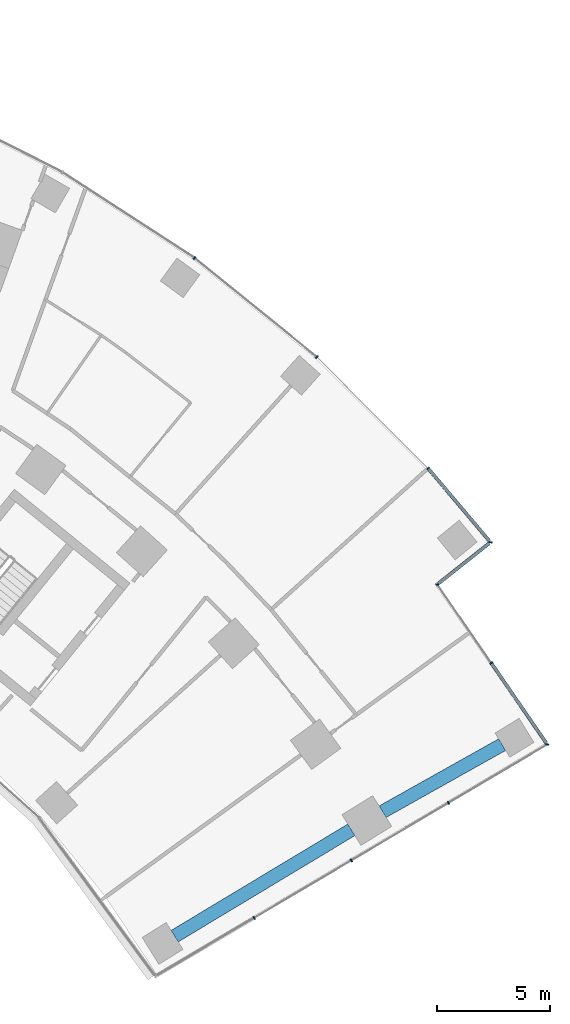
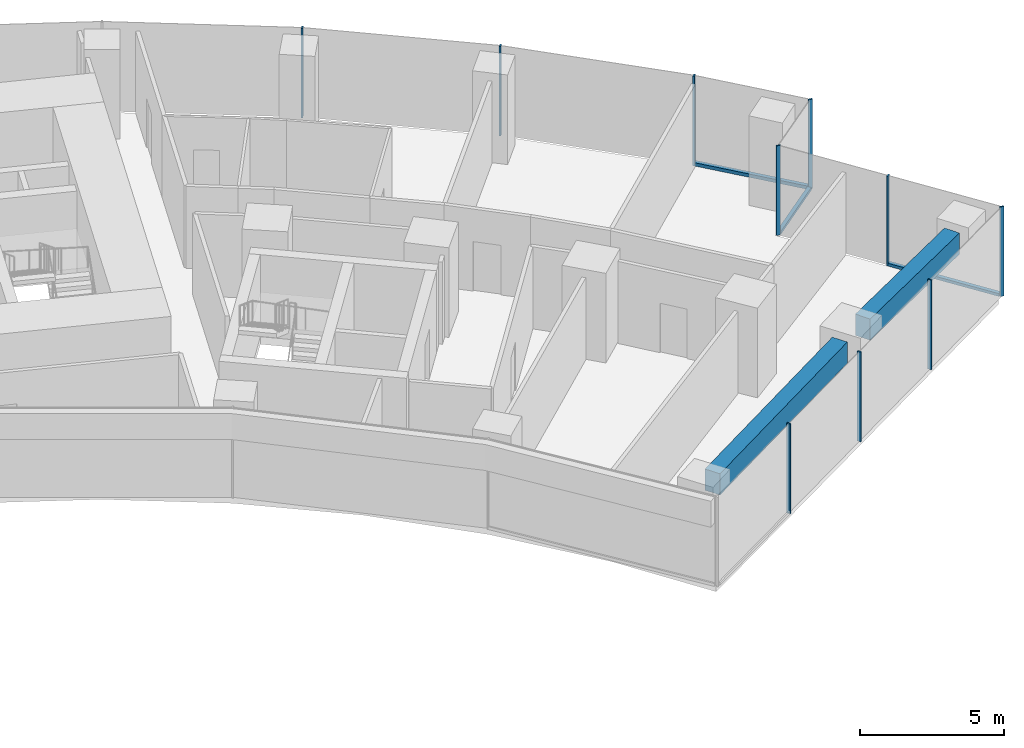
# One storey, part 10 of 21: 13 members, 2 beams, 4 elements without a shape of their own.
"""IFC4 building model written with IfcOpenShell, lengths in metres."""

from ifc_helpers import new_model, si_unit, direction, frame, origin, origin_2d, place, context, subcontext, project, spatial, rectangle, extrude, material, layer, layer_set, material_profile, profile_set, type_object, element, aggregate, save


model = new_model("IFC4")

# Units and contexts
model_context = context("Model", 3, precision=1e-05, world=origin(), true_north=direction((0.0, 1.0)))
body_context = subcontext(model_context, "Body", "Model", "MODEL_VIEW")
ifc_project = project(units=[si_unit("LENGTHUNIT", "METRE"), si_unit("AREAUNIT", "SQUARE_METRE"), si_unit("VOLUMEUNIT", "CUBIC_METRE"), si_unit("PLANEANGLEUNIT", "RADIAN"), si_unit("MASSUNIT", "GRAM", prefix="KILO")], contexts=[model_context])

# Site, building, storey
site_placement = place(None, origin())
site = spatial("IfcSite", under=ifc_project, at=site_placement, CompositionType="ELEMENT")
building_placement = place(site_placement, origin())
building = spatial("IfcBuilding", under=site, at=building_placement, Name="Stone Belt Terrace Tower", CompositionType="ELEMENT")
storey_placement = place(building_placement, frame((0.0, 0.0, 37.60009765625)))
storey = spatial("IfcBuildingStorey", under=building, at=storey_placement, Name="L08", CompositionType="ELEMENT", Elevation=37.60009765625)

# Curtain wall, members
ifc_material_1 = material(Name="Aluminium 6063-T6 anodised frame", Category="aluminium")
ifc_layer_1 = layer(ifc_material_1, 0.14990234375)
ifc_layer_set_1 = layer_set([ifc_layer_1], Name="CW-A unitised convex-face curtain wall")
curtain_wall_type_1 = type_object("IfcCurtainWallType", Name="CW-A unitised convex-face curtain wall", PredefinedType="NOTDEFINED", material=ifc_layer_set_1)
curtain_wall_1_placement = place(storey_placement, origin())
curtain_wall_1 = element("IfcCurtainWall", 1, at=curtain_wall_1_placement, inside=storey, type_object=curtain_wall_type_1, Name="CW-A convex face L08", PredefinedType="NOTDEFINED")
ifc_material_profile_1 = material_profile(ifc_material_1, rectangle(XDim=0.14990234375, YDim=0.06005859375, at=origin_2d()), Name="Aluminium 6063-T6 60x150")
ifc_profile_set_1 = profile_set([ifc_material_profile_1], Name="Aluminium 6063-T6 anodised frame")
member_type_1 = type_object("IfcMemberType", Name="CW-A mullion 60 x 150", PredefinedType="MULLION", material=ifc_profile_set_1)
member_1_placement = place(storey_placement, frame((52.24072265625, 41.27294921875, 0.0), z_axis=(0.0, 0.0, 1.0), x_axis=(-0.995023084308, 0.099644677203, 0.0)))
member_1 = element("IfcMember", 2, at=member_1_placement, type_object=member_type_1, Name="CW-A mullion 1", PredefinedType="MULLION", context=body_context, shape_type="SweptSolid", body=[
    extrude(rectangle(XDim=0.14990234375, YDim=0.06005859375, at=origin_2d()), origin(), (0.0, 0.0, 1.0), 3.7998046875),
])
member_2_placement = place(storey_placement, frame((49.474365234375, 44.548095703125, 0.0), z_axis=(0.0, 0.0, 1.0), x_axis=(-0.73617076011, -0.676795842155, 0.0)))
member_2 = element("IfcMember", 3, at=member_2_placement, type_object=member_type_1, Name="CW-A mullion 2", PredefinedType="MULLION", context=body_context, shape_type="SweptSolid", body=[
    extrude(rectangle(XDim=0.14990234375, YDim=0.06005859375, at=origin_2d()), origin(), (0.0, 0.0, 1.0), 3.7998046875),
])
member_3_placement = place(storey_placement, frame((44.54736328125, 49.474853515625, 0.0), z_axis=(0.0, 0.0, 1.0), x_axis=(-0.669130606359, -0.743144825477, 0.0)))
member_3 = element("IfcMember", 4, at=member_3_placement, type_object=member_type_1, Name="CW-A mullion 3", PredefinedType="MULLION", context=body_context, shape_type="SweptSolid", body=[
    extrude(rectangle(XDim=0.14990234375, YDim=0.06005859375, at=origin_2d()), origin(), (0.0, 0.0, 1.0), 3.7998046875),
])
member_4_placement = place(storey_placement, frame((39.1318359375, 53.8603515625, 0.0), z_axis=(0.0, 0.0, 1.0), x_axis=(-0.587785252292, -0.809016994375, 0.0)))
member_4 = element("IfcMember", 5, at=member_4_placement, type_object=member_type_1, Name="CW-A mullion 4", PredefinedType="MULLION", context=body_context, shape_type="SweptSolid", body=[
    extrude(rectangle(XDim=0.14990234375, YDim=0.06005859375, at=origin_2d()), origin(), (0.0, 0.0, 1.0), 3.7998046875),
])
ifc_material_profile_2 = material_profile(ifc_material_1, rectangle(XDim=0.14990234375, YDim=0.139892578125, at=origin_2d()), Name="Aluminium 6063-T6 150x140")
ifc_profile_set_2 = profile_set([ifc_material_profile_2], Name="Aluminium 6063-T6 anodised frame")
member_type_2 = type_object("IfcMemberType", Name="CW-A transom 140 x 150", PredefinedType="USERDEFINED", material=ifc_profile_set_2)
member_5_placement = place(storey_placement, frame((52.192626953125, 41.330078125, 0.06982421875), z_axis=(-0.645289935316, 0.763937758839, 0.0), x_axis=(-0.763937758839, -0.645289935316, 0.0)))
member_5 = element("IfcMember", 6, at=member_5_placement, type_object=member_type_2, Name="CW-A transom 1.1", ObjectType="TRANSOM", PredefinedType="USERDEFINED", context=body_context, shape_type="SweptSolid", body=[
    extrude(rectangle(XDim=0.14990234375, YDim=0.139892578125, at=origin_2d()), origin(), (0.0, 0.0, 1.0), 4.17919921875),
])
aggregate(curtain_wall_1, [member_1, member_2, member_3, member_4, member_5])

ifc_layer_2 = layer(ifc_material_1, 0.14990234375)
ifc_layer_set_2 = layer_set([ifc_layer_2], Name="CW-C stick curtain wall, horn ends and notches")
curtain_wall_type_2 = type_object("IfcCurtainWallType", Name="CW-C stick curtain wall, horn ends and notches", PredefinedType="NOTDEFINED", material=ifc_layer_set_2)
curtain_wall_2_placement = place(storey_placement, origin())
curtain_wall_2 = element("IfcCurtainWall", 7, at=curtain_wall_2_placement, inside=storey, type_object=curtain_wall_type_2, Name="CW-C end face L08", PredefinedType="NOTDEFINED")
ifc_material_profile_3 = material_profile(ifc_material_1, rectangle(XDim=0.14990234375, YDim=0.06005859375, at=origin_2d()), Name="Aluminium 6063-T6 60x150")
ifc_profile_set_3 = profile_set([ifc_material_profile_3], Name="Aluminium 6063-T6 anodised frame")
member_type_3 = type_object("IfcMemberType", Name="CW-C mullion 60 x 150", PredefinedType="MULLION", material=ifc_profile_set_3)
member_6_placement = place(storey_placement, frame((41.775146484375, 24.63916015625, 0.0), z_axis=(0.0, 0.0, 1.0), x_axis=(-0.509352918793, 0.860557728521, 0.0)))
member_6 = element("IfcMember", 8, at=member_6_placement, type_object=member_type_3, Name="CW-C mullion 2", PredefinedType="MULLION", context=body_context, shape_type="SweptSolid", body=[
    extrude(rectangle(XDim=0.14990234375, YDim=0.06005859375, at=origin_2d()), origin(), (0.0, 0.0, 1.0), 3.7998046875),
])
member_7_placement = place(storey_placement, frame((46.078125, 27.185791015625, 0.0), z_axis=(0.0, 0.0, 1.0), x_axis=(-0.509352918793, 0.860557728521, 0.0)))
member_7 = element("IfcMember", 9, at=member_7_placement, type_object=member_type_3, Name="CW-C mullion 3", PredefinedType="MULLION", context=body_context, shape_type="SweptSolid", body=[
    extrude(rectangle(XDim=0.14990234375, YDim=0.06005859375, at=origin_2d()), origin(), (0.0, 0.0, 1.0), 3.7998046875),
])
member_8_placement = place(storey_placement, frame((50.380859375, 29.732666015625, 0.0), z_axis=(0.0, 0.0, 1.0), x_axis=(-0.509352918793, 0.860557728521, 0.0)))
member_8 = element("IfcMember", 10, at=member_8_placement, type_object=member_type_3, Name="CW-C mullion 4", PredefinedType="MULLION", context=body_context, shape_type="SweptSolid", body=[
    extrude(rectangle(XDim=0.14990234375, YDim=0.06005859375, at=origin_2d()), origin(), (0.0, 0.0, 1.0), 3.7998046875),
])
aggregate(curtain_wall_2, [member_6, member_7, member_8])

curtain_wall_3_placement = place(storey_placement, origin())
curtain_wall_3 = element("IfcCurtainWall", 11, at=curtain_wall_3_placement, inside=storey, type_object=curtain_wall_type_2, Name="CW-C notch face L08", PredefinedType="NOTDEFINED")
member_9_placement = place(storey_placement, frame((54.752685546875, 32.3203125, 0.0), z_axis=(0.0, 0.0, 1.0), x_axis=(-0.976519557331, 0.215428768157, 0.0)))
member_9 = element("IfcMember", 12, at=member_9_placement, type_object=member_type_3, Name="CW-C mullion 1", PredefinedType="MULLION", context=body_context, shape_type="SweptSolid", body=[
    extrude(rectangle(XDim=0.14990234375, YDim=0.06005859375, at=origin_2d()), origin(), (0.0, 0.0, 1.0), 3.7998046875),
])
member_10_placement = place(storey_placement, frame((52.275390625, 35.925048828125, 0.0), z_axis=(0.0, 0.0, 1.0), x_axis=(-0.824146991357, -0.566375967567, 0.0)))
member_10 = element("IfcMember", 13, at=member_10_placement, type_object=member_type_3, Name="CW-C mullion 2", PredefinedType="MULLION", context=body_context, shape_type="SweptSolid", body=[
    extrude(rectangle(XDim=0.14990234375, YDim=0.06005859375, at=origin_2d()), origin(), (0.0, 0.0, 1.0), 3.7998046875),
])

# Curtain wall, member
curtain_wall_4_placement = place(storey_placement, origin())
curtain_wall_4 = element("IfcCurtainWall", 14, at=curtain_wall_4_placement, inside=storey, type_object=curtain_wall_type_2, Name="CW-C notch face L08", PredefinedType="NOTDEFINED")
member_11_placement = place(storey_placement, frame((49.88330078125, 39.406005859375, 0.0), z_axis=(0.0, 0.0, 1.0), x_axis=(-0.988851375203, 0.14890586879, 0.0)))
member_11 = element("IfcMember", 15, at=member_11_placement, type_object=member_type_3, Name="CW-C mullion 1", PredefinedType="MULLION", context=body_context, shape_type="SweptSolid", body=[
    extrude(rectangle(XDim=0.14990234375, YDim=0.06005859375, at=origin_2d()), origin(), (0.0, 0.0, 1.0), 3.7998046875),
])

# Member
ifc_material_profile_4 = material_profile(ifc_material_1, rectangle(XDim=0.14990234375, YDim=0.1201171875, at=origin_2d()), Name="Aluminium 6063-T6 150x120")
ifc_profile_set_4 = profile_set([ifc_material_profile_4], Name="Aluminium 6063-T6 anodised frame")
member_type_4 = type_object("IfcMemberType", Name="CW-C transom 120 x 150", PredefinedType="USERDEFINED", material=ifc_profile_set_4)
member_12_placement = place(storey_placement, frame((54.7099609375, 32.38232421875, 0.059814453125), z_axis=(-0.566339474571, 0.824172069135, 0.0), x_axis=(-0.824172069135, -0.566339474571, 0.0)))
member_12 = element("IfcMember", 16, at=member_12_placement, type_object=member_type_4, Name="CW-C transom 1.1", ObjectType="TRANSOM", PredefinedType="USERDEFINED", context=body_context, shape_type="SweptSolid", body=[
    extrude(rectangle(XDim=0.14990234375, YDim=0.1201171875, at=origin_2d()), origin(), (0.0, 0.0, 1.0), 4.2685546875),
])

aggregate(curtain_wall_3, [member_9, member_10, member_12])

member_13_placement = place(storey_placement, frame((49.9404296875, 39.451416015625, 0.059814453125), z_axis=(0.783966177893, 0.620803537297, 0.0), x_axis=(-0.620803537297, 0.783966177893, 0.0)))
member_13 = element("IfcMember", 17, at=member_13_placement, type_object=member_type_4, Name="CW-C transom 1.1", ObjectType="TRANSOM", PredefinedType="USERDEFINED", context=body_context, shape_type="SweptSolid", body=[
    extrude(rectangle(XDim=0.14990234375, YDim=0.1201171875, at=origin_2d()), origin(), (0.0, 0.0, 1.0), 2.859375),
])

aggregate(curtain_wall_4, [member_11, member_13])

# Beams
ifc_material_2 = material(Name="Concrete B60", Category="concrete")
ifc_material_profile_5 = material_profile(ifc_material_2, rectangle(XDim=0.60009765625, YDim=0.89990234375, at=origin_2d()), Name="RC 600x900")
ifc_profile_set_5 = profile_set([ifc_material_profile_5], Name="Concrete B60")
beam_type = type_object("IfcBeamType", Name="Edge beam RC 600x900 B60", PredefinedType="SPANDREL", material=ifc_profile_set_5)
beam_1_placement = place(storey_placement, frame((38.253662109375, 23.83203125, 3.02978515625), z_axis=(0.856900189152, 0.51548236229, 0.0), x_axis=(-0.51548236229, 0.856900189152, 0.0)))
element("IfcBeam", 18, at=beam_1_placement, inside=storey, type_object=beam_type, Name="Edge beam L08 B P to Q", PredefinedType="SPANDREL", context=body_context, shape_type="SweptSolid", body=[
    extrude(rectangle(XDim=0.60009765625, YDim=0.89990234375, at=origin_2d()), origin(), (0.0, 0.0, 1.0), 9.130859375),
])
beam_2_placement = place(storey_placement, frame((47.4619140625, 29.3427734375, 3.02978515625), z_axis=(0.872212947991, 0.489126336806, 0.0), x_axis=(-0.489126336806, 0.872212947991, 0.0)))
element("IfcBeam", 19, at=beam_2_placement, inside=storey, type_object=beam_type, Name="Edge beam L08 B Q to R", PredefinedType="SPANDREL", context=body_context, shape_type="SweptSolid", body=[
    extrude(rectangle(XDim=0.60009765625, YDim=0.89990234375, at=origin_2d()), origin(), (0.0, 0.0, 1.0), 6.069091796875),
])

save(model, "model.ifc")
